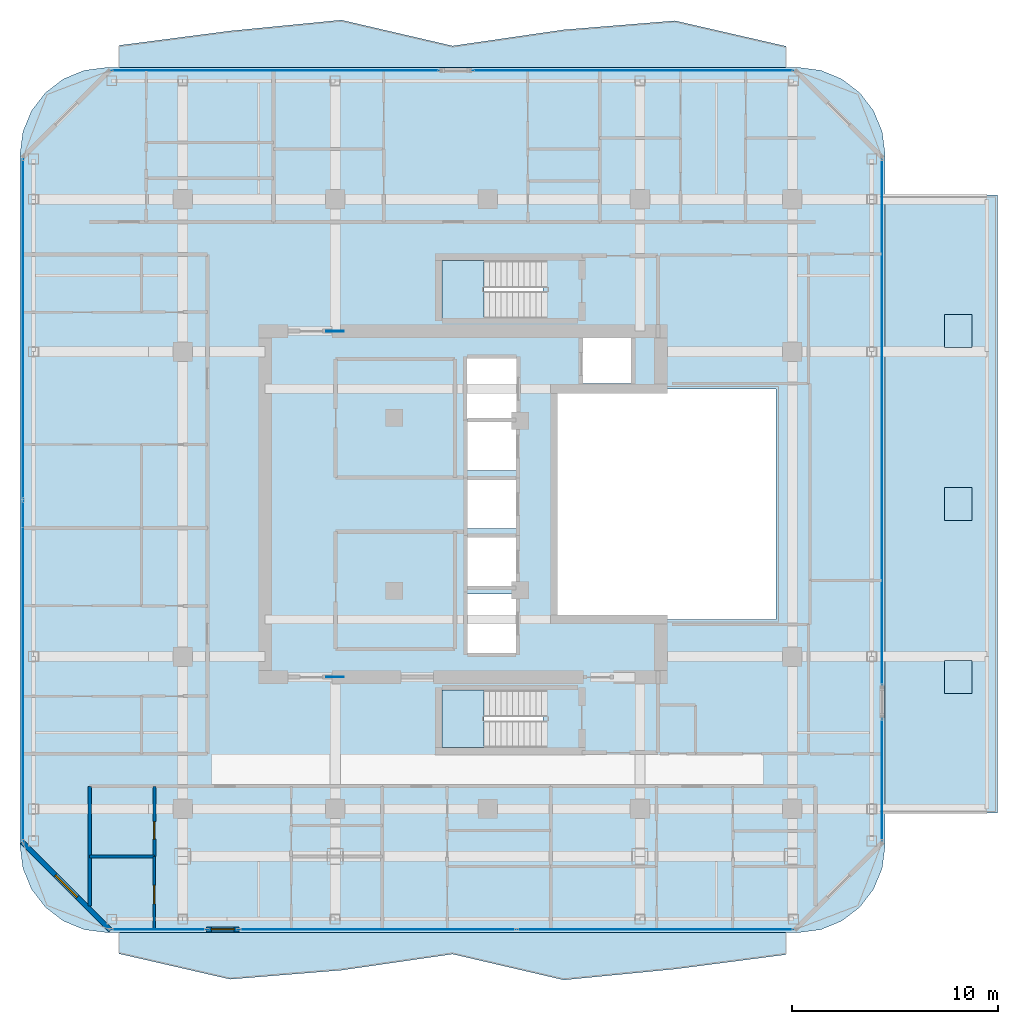
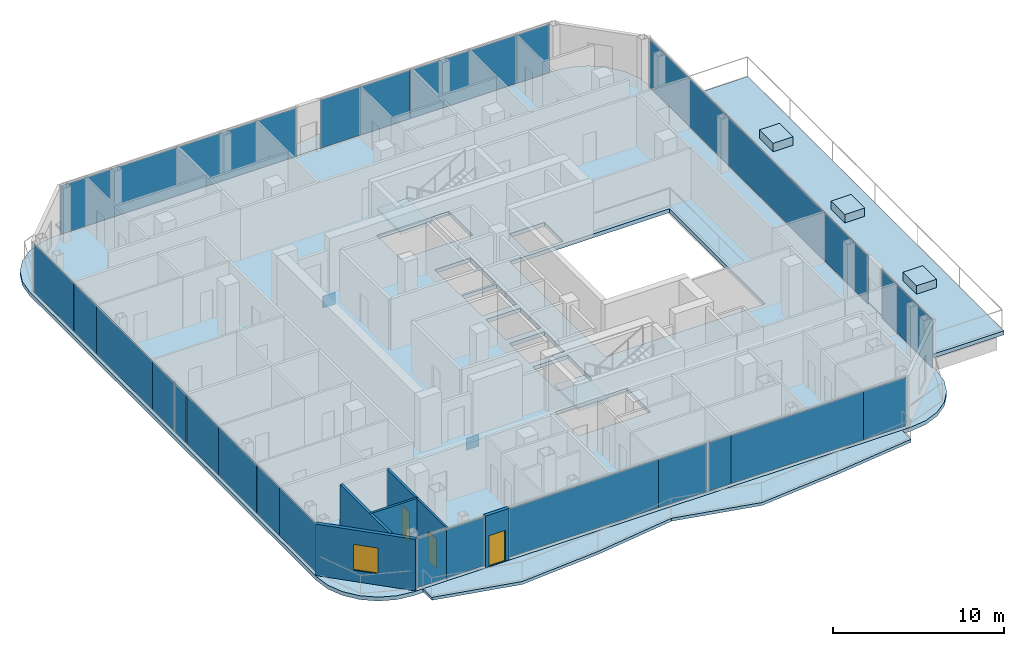
# One storey, part 16 of 24: 25 plates, 9 slabs, 6 walls, 3 doors, 1 window, 4 openings, 9 elements without a shape of their own.
"""IFC4 building model written with IfcOpenShell, lengths in metres."""

from ifc_helpers import new_model, si_unit, direction, frame, frame_2d, origin, origin_2d, place, context, subcontext, project, spatial, polyline, rectangle, outline, extrude, material, layer, layer_set, type_object, element, fill, aggregate, save


model = new_model("IFC4")

# Units and contexts
model_context = context("Model", 3, precision=1e-05, world=origin(), true_north=direction((0.0, 1.0)))
body_context = subcontext(model_context, "Body", "Model", "MODEL_VIEW")
ifc_project = project(units=[si_unit("LENGTHUNIT", "METRE"), si_unit("AREAUNIT", "SQUARE_METRE"), si_unit("VOLUMEUNIT", "CUBIC_METRE"), si_unit("PLANEANGLEUNIT", "RADIAN"), si_unit("MASSUNIT", "GRAM", prefix="KILO")], contexts=[model_context])

# Site, building, storey
site_placement = place(None, origin())
site = spatial("IfcSite", under=ifc_project, at=site_placement, CompositionType="ELEMENT")
building_placement = place(site_placement, origin())
building = spatial("IfcBuilding", under=site, at=building_placement, Name="Khorvyn Point Tower", CompositionType="ELEMENT")
storey_placement = place(building_placement, frame((0.0, 0.0, 285.89990234375)))
storey = spatial("IfcBuildingStorey", under=building, at=storey_placement, Name="L70", CompositionType="ELEMENT", Elevation=285.89990234375)

# Slabs
ifc_material_1 = material(Name="Concrete C35/45", Category="concrete")
ifc_layer_1 = layer(ifc_material_1, 0.239990234375)
ifc_layer_set_1 = layer_set([ifc_layer_1], Name="Concrete C35/45 Setback Terrace Roof Slab 240")
slab_type_1 = type_object("IfcSlabType", Name="Concrete C35/45 Setback Terrace Roof Slab 240", PredefinedType="ROOF", material=ifc_layer_set_1)
slab_1_placement = place(storey_placement, frame((0.0, 0.0, -0.27978515625)))
element("IfcSlab", 1, at=slab_1_placement, inside=storey, type_object=slab_type_1, Name="L70 East Jenga Setback Sky-Garden Terrace", PredefinedType="ROOF", context=body_context, shape_type="SweptSolid", body=[
    extrude(outline(polyline([(19.320068359375, -15.0), (24.75, -15.0), (24.75, 15.0), (19.320068359375, 15.0), (19.320068359375, -15.0)])), origin(), (0.0, 0.0, 1.0), 0.27978515625),
])
ifc_layer_2 = layer(ifc_material_1, 0.60009765625)
ifc_layer_set_2 = layer_set([ifc_layer_2], Name="Concrete C35/45 Terrace Tree Planter 600")
slab_type_2 = type_object("IfcSlabType", Name="Concrete C35/45 Terrace Tree Planter 600", PredefinedType="USERDEFINED", material=ifc_layer_set_2)
slab_2_placement = place(storey_placement, origin())
element("IfcSlab", 2, at=slab_2_placement, inside=storey, type_object=slab_type_2, Name="L70 Sky-Terrace Structural Tree Planter 1", ObjectType="PLANTER", PredefinedType="USERDEFINED", context=body_context, shape_type="SweptSolid", body=[
    extrude(outline(polyline([(22.174560546875, -9.199951171875), (23.5244140625, -9.199951171875), (23.5244140625, -7.60009765625), (22.174560546875, -7.60009765625), (22.174560546875, -9.199951171875)])), origin(), (0.0, 0.0, 1.0), 0.60009765625),
])
slab_3_placement = place(storey_placement, origin())
element("IfcSlab", 3, at=slab_3_placement, inside=storey, type_object=slab_type_2, Name="L70 Sky-Terrace Structural Tree Planter 2", ObjectType="PLANTER", PredefinedType="USERDEFINED", context=body_context, shape_type="SweptSolid", body=[
    extrude(outline(polyline([(22.174560546875, -0.800048828125), (23.5244140625, -0.800048828125), (23.5244140625, 0.800048828125), (22.174560546875, 0.800048828125), (22.174560546875, -0.800048828125)])), origin(), (0.0, 0.0, 1.0), 0.60009765625),
])
slab_4_placement = place(storey_placement, origin())
element("IfcSlab", 4, at=slab_4_placement, inside=storey, type_object=slab_type_2, Name="L70 Sky-Terrace Structural Tree Planter 3", ObjectType="PLANTER", PredefinedType="USERDEFINED", context=body_context, shape_type="SweptSolid", body=[
    extrude(outline(polyline([(22.174560546875, 7.60009765625), (23.5244140625, 7.60009765625), (23.5244140625, 9.199951171875), (22.174560546875, 9.199951171875), (22.174560546875, 7.60009765625)])), origin(), (0.0, 0.0, 1.0), 0.60009765625),
])
ifc_material_2 = material(Name="Concrete C40/50", Category="concrete")
ifc_layer_3 = layer(ifc_material_2, 0.2099609375)
ifc_layer_set_3 = layer_set([ifc_layer_3], Name="Concrete C40/50 Rippling Balcony Slab 210")
slab_type_3 = type_object("IfcSlabType", Name="Concrete C40/50 Rippling Balcony Slab 210", PredefinedType="USERDEFINED", material=ifc_layer_set_3)
slab_5_placement = place(storey_placement, frame((0.0, 0.0, -0.2099609375)))
element("IfcSlab", 5, at=slab_5_placement, inside=storey, type_object=slab_type_3, Name="L70 North Sinusoidal Rippling Balcony", ObjectType="BALCONY", PredefinedType="USERDEFINED", context=body_context, shape_type="SweptSolid", body=[
    extrude(outline(polyline([(14.5, 21.199951171875), (14.5, 22.22802734375), (9.10009765625, 23.46875), (3.699951171875, 23.031005859375), (-1.699951171875, 22.247802734375), (-7.10009765625, 23.50390625), (-12.5, 22.974365234375), (-17.89990234375, 22.271484375), (-17.89990234375, 21.199951171875), (14.5, 21.199951171875)])), origin(), (0.0, 0.0, 1.0), 0.2099609375),
])
slab_6_placement = place(storey_placement, frame((0.0, 0.0, -0.2099609375)))
element("IfcSlab", 6, at=slab_6_placement, inside=storey, type_object=slab_type_3, Name="L70 South Sinusoidal Rippling Balcony", ObjectType="BALCONY", PredefinedType="USERDEFINED", context=body_context, shape_type="SweptSolid", body=[
    extrude(outline(polyline([(-17.89990234375, -20.800048828125), (-17.89990234375, -21.827880859375), (-12.5, -23.06884765625), (-7.10009765625, -22.630859375), (-1.699951171875, -21.84765625), (3.699951171875, -23.10400390625), (9.10009765625, -22.574462890625), (14.5, -21.87158203125), (14.5, -20.800048828125), (-17.89990234375, -20.800048828125)])), origin(), (0.0, 0.0, 1.0), 0.2099609375),
])

# Stair, slab
stair_type = type_object("IfcStairType", Name="Tower Concrete C40/50 Dogleg Exit Stair", PredefinedType="HALF_TURN_STAIR", material=ifc_material_2)
stair_1_placement = place(storey_placement, origin())
stair_1 = element("IfcStair", 7, at=stair_1_placement, inside=storey, type_object=stair_type, Name="L70 Tower Smokeproof Exit Stair South", PredefinedType="HALF_TURN_STAIR")
ifc_layer_4 = layer(ifc_material_2, 0.199951171875)
ifc_layer_set_4 = layer_set([ifc_layer_4], Name="Concrete C40/50 Stair Landing Slab 200")
slab_type_4 = type_object("IfcSlabType", Name="Concrete C40/50 Stair Landing Slab 200", PredefinedType="LANDING", material=ifc_layer_set_4)
slab_7_placement = place(storey_placement, frame((0.0, 0.0, 1.75)))
slab_7 = element("IfcSlab", 8, at=slab_7_placement, type_object=slab_type_4, Name="ST-01 landing 1", PredefinedType="LANDING", context=body_context, shape_type="SweptSolid", body=[
    extrude(outline(polyline([(-0.179931640625, -9.02001953125), (-2.199951171875, -9.02001953125), (-2.199951171875, -11.820068359375), (-0.179931640625, -11.820068359375), (-0.179931640625, -9.02001953125)])), origin(), (0.0, 0.0, 1.0), 0.2001953125),
])
aggregate(stair_1, [slab_7])

stair_2_placement = place(storey_placement, origin())
stair_2 = element("IfcStair", 9, at=stair_2_placement, inside=storey, type_object=stair_type, Name="L70 Tower Smokeproof Exit Stair North", PredefinedType="HALF_TURN_STAIR")
slab_8_placement = place(storey_placement, frame((0.0, 0.0, 1.75)))
slab_8 = element("IfcSlab", 10, at=slab_8_placement, type_object=slab_type_4, Name="ST-02 landing 1", PredefinedType="LANDING", context=body_context, shape_type="SweptSolid", body=[
    extrude(outline(polyline([(-0.179931640625, 11.820068359375), (-2.199951171875, 11.820068359375), (-2.199951171875, 9.02001953125), (-0.179931640625, 9.02001953125), (-0.179931640625, 11.820068359375)])), origin(), (0.0, 0.0, 1.0), 0.2001953125),
])
aggregate(stair_2, [slab_8])

# Slab
ifc_layer_5 = layer(ifc_material_2, 0.280029296875)
ifc_layer_set_5 = layer_set([ifc_layer_5], Name="Concrete C40/50 Structural Floor Slab 280")
slab_type_5 = type_object("IfcSlabType", Name="Concrete C40/50 Structural Floor Slab 280", PredefinedType="FLOOR", material=ifc_layer_set_5)
slab_9_placement = place(storey_placement, frame((0.0, 0.0, -0.27978515625)))
element("IfcSlab", 11, at=slab_9_placement, inside=storey, type_object=slab_type_5, Name="L70 Main Structural Floor Slab", PredefinedType="FLOOR", context=body_context, shape_type="SweptSolid", body=[
    extrude(outline(polyline([(-18.5, -20.800048828125), (-19.5869140625, -20.656982421875), (-20.60009765625, -20.2373046875), (-21.4697265625, -19.56982421875), (-22.13720703125, -18.699951171875), (-22.556884765625, -17.68701171875), (-22.699951171875, -16.60009765625), (-22.699951171875, 17.0), (-22.556884765625, 18.0869140625), (-22.13720703125, 19.10009765625), (-21.4697265625, 19.9697265625), (-20.60009765625, 20.63720703125), (-19.5869140625, 21.056884765625), (-18.5, 21.199951171875), (15.10009765625, 21.199951171875), (16.18701171875, 21.056884765625), (17.199951171875, 20.63720703125), (18.06982421875, 19.9697265625), (18.7373046875, 19.10009765625), (19.156982421875, 18.0869140625), (19.300048828125, 17.0), (19.300048828125, -16.60009765625), (19.156982421875, -17.68701171875), (18.7373046875, -18.699951171875), (18.06982421875, -19.56982421875), (17.199951171875, -20.2373046875), (16.18701171875, -20.656982421875), (15.10009765625, -20.800048828125), (-18.5, -20.800048828125)]), holes=[polyline([(2.679931640625, -11.820068359375), (2.679931640625, -9.02001953125), (-2.199951171875, -9.02001953125), (-2.199951171875, -11.820068359375), (2.679931640625, -11.820068359375)]), polyline([(1.375, -7.22509765625), (1.375, -4.375), (-0.97509765625, -4.375), (-0.97509765625, -7.22509765625), (1.375, -7.22509765625)]), polyline([(1.375, -3.97509765625), (1.375, -1.625), (-0.97509765625, -1.625), (-0.97509765625, -3.97509765625), (1.375, -3.97509765625)]), polyline([(1.375, -1.175048828125), (1.375, 1.175048828125), (-0.97509765625, 1.175048828125), (-0.97509765625, -1.175048828125), (1.375, -1.175048828125)]), polyline([(14.0, -5.60009765625), (14.0, 5.60009765625), (3.199951171875, 5.60009765625), (3.199951171875, -5.60009765625), (14.0, -5.60009765625)]), polyline([(1.375, 1.625), (1.375, 3.97509765625), (-0.97509765625, 3.97509765625), (-0.97509765625, 1.625), (1.375, 1.625)]), polyline([(1.39990234375, 4.125), (1.39990234375, 7.074951171875), (-1.0, 7.074951171875), (-1.0, 4.125), (1.39990234375, 4.125)]), polyline([(4.625, 5.85009765625), (6.97509765625, 5.85009765625), (6.97509765625, 8.054931640625), (4.625, 8.054931640625), (4.625, 5.85009765625)]), polyline([(-2.199951171875, 9.02001953125), (2.679931640625, 9.02001953125), (2.679931640625, 11.820068359375), (-2.199951171875, 11.820068359375), (-2.199951171875, 9.02001953125)])]), origin(), (0.0, 0.0, 1.0), 0.27978515625),
])

# Plates
ifc_material_3 = material(Name="Steel S450", Category="steel")
ifc_layer_6 = layer(ifc_material_3, 0.031982421875)
ifc_layer_set_6 = layer_set([ifc_layer_6], Name="Steel S450 Exoskeleton End Cap Plate 32")
plate_type_1 = type_object("IfcPlateType", Name="Steel S450 Exoskeleton End Cap Plate 32", PredefinedType="USERDEFINED", material=ifc_layer_set_6)
for number, where, z_axis, x_axis, name in (
    (12, (-7.39990234375, -8.389892578125, -1.16015625), (0.0, 0.0, 1.0), (1.0, 0.0, 0.0), "Plate"),
    (13, (-7.39990234375, 8.389892578125, -1.16015625), (0.0, 0.0, 1.0), (1.0, 0.0, 0.0), "Plate"),
):
    element("IfcPlate", number, at=place(storey_placement, frame(where, z_axis=z_axis, x_axis=x_axis)), inside=storey, type_object=plate_type_1, Name=name, ObjectType="GUSSET", PredefinedType="USERDEFINED", context=body_context, shape_type="SweptSolid", body=[
        extrude(rectangle(XDim=0.860107421875, YDim=0.031982421875, at=origin_2d()), origin(), (0.0, 0.0, 1.0), 0.860107421875),
    ])

# Curtain wall, plates
ifc_material_4 = material(Name="Anodised aluminium 6063-T6 and laminated Low-E glass", Category="aluminium")
ifc_layer_7 = layer(ifc_material_4, 0.18994140625)
ifc_layer_set_7 = layer_set([ifc_layer_7], Name="Stick-Built High-Wind Curtain Wall CW-SYS-04")
curtain_wall_type = type_object("IfcCurtainWallType", Name="Stick-Built High-Wind Curtain Wall CW-SYS-04", PredefinedType="NOTDEFINED", material=ifc_layer_set_7)
curtain_wall_1_placement = place(storey_placement, origin())
curtain_wall_1 = element("IfcCurtainWall", 14, at=curtain_wall_1_placement, inside=storey, type_object=curtain_wall_type, Name="Curtain Wall", PredefinedType="NOTDEFINED")
ifc_material_5 = material(Name="Laminated Low-E insulated glass", Category="glass")
ifc_layer_8 = layer(ifc_material_5, 0.028076171875)
ifc_layer_set_8 = layer_set([ifc_layer_8], Name="Tempered Low-E Vision Glazing Panel CW-GL28")
plate_type_2 = type_object("IfcPlateType", Name="Tempered Low-E Vision Glazing Panel CW-GL28", PredefinedType="CURTAIN_PANEL", material=ifc_layer_set_8)
plate_1_placement = place(storey_placement, frame((2.22900390625, -20.64990234375, 0.10009765625), z_axis=(0.0, 0.0, 1.0), x_axis=(-1.0, 0.0, 0.0)))
plate_1 = element("IfcPlate", 15, at=plate_1_placement, type_object=plate_type_2, Name="Panel", PredefinedType="CURTAIN_PANEL", context=body_context, shape_type="SweptSolid", body=[
    extrude(rectangle(XDim=1.5400390625, YDim=0.028076171875, at=origin_2d()), origin(), (0.0, 0.0, 1.0), 3.47998046875),
])
plate_2_placement = place(storey_placement, frame((7.485595703125, -20.64990234375, 0.10009765625), z_axis=(0.0, 0.0, 1.0), x_axis=(-1.0, 0.0, 0.0)))
plate_2 = element("IfcPlate", 16, at=plate_2_placement, type_object=plate_type_2, Name="Panel", PredefinedType="CURTAIN_PANEL", context=body_context, shape_type="SweptSolid", body=[
    extrude(rectangle(XDim=8.95703125, YDim=0.028076171875, at=origin_2d()), origin(), (0.0, 0.0, 1.0), 3.47998046875),
])
plate_3_placement = place(storey_placement, frame((13.408935546875, -20.64990234375, 0.10009765625), z_axis=(0.0, 0.0, 1.0), x_axis=(-1.0, 0.0, 0.0)))
plate_3 = element("IfcPlate", 17, at=plate_3_placement, type_object=plate_type_2, Name="Panel", PredefinedType="CURTAIN_PANEL", context=body_context, shape_type="SweptSolid", body=[
    extrude(rectangle(XDim=2.8740234375, YDim=0.028076171875, at=origin_2d()), origin(), (0.0, 0.0, 1.0), 3.47998046875),
])
plate_4_placement = place(storey_placement, frame((-6.972412109375, -20.64990234375, 0.10009765625), z_axis=(0.0, 0.0, 1.0), x_axis=(-1.0, 0.0, 0.0)))
plate_4 = element("IfcPlate", 18, at=plate_4_placement, type_object=plate_type_2, Name="Panel", PredefinedType="CURTAIN_PANEL", context=body_context, shape_type="SweptSolid", body=[
    extrude(rectangle(XDim=10.126953125, YDim=0.028076171875, at=origin_2d()), origin(), (0.0, 0.0, 1.0), 3.47998046875),
])
plate_5_placement = place(storey_placement, frame((-0.27490234375, -20.64990234375, 0.10009765625), z_axis=(0.0, 0.0, 1.0), x_axis=(-1.0, 0.0, 0.0)))
plate_5 = element("IfcPlate", 19, at=plate_5_placement, type_object=plate_type_2, Name="Panel", PredefinedType="CURTAIN_PANEL", context=body_context, shape_type="SweptSolid", body=[
    extrude(rectangle(XDim=3.251953125, YDim=0.028076171875, at=origin_2d()), origin(), (0.0, 0.0, 1.0), 3.47998046875),
])
aggregate(curtain_wall_1, [plate_1, plate_2, plate_3, plate_4, plate_5])

curtain_wall_2_placement = place(storey_placement, origin())
curtain_wall_2 = element("IfcCurtainWall", 20, at=curtain_wall_2_placement, inside=storey, type_object=curtain_wall_type, Name="Curtain Wall", PredefinedType="NOTDEFINED")
plate_6_placement = place(storey_placement, frame((-17.244384765625, -20.64990234375, 0.10009765625), z_axis=(0.0, 0.0, 1.0), x_axis=(-1.0, 0.0, 0.0)))
plate_6 = element("IfcPlate", 21, at=plate_6_placement, type_object=plate_type_2, Name="Panel", PredefinedType="CURTAIN_PANEL", context=body_context, shape_type="SweptSolid", body=[
    extrude(rectangle(XDim=2.0029296875, YDim=0.028076171875, at=origin_2d()), origin(), (0.0, 0.0, 1.0), 3.47998046875),
])
plate_7_placement = place(storey_placement, frame((-14.95947265625, -20.64990234375, 0.10009765625), z_axis=(0.0, 0.0, 1.0), x_axis=(-1.0, 0.0, 0.0)))
plate_7 = element("IfcPlate", 22, at=plate_7_placement, type_object=plate_type_2, Name="Panel", PredefinedType="CURTAIN_PANEL", context=body_context, shape_type="SweptSolid", body=[
    extrude(rectangle(XDim=2.551025390625, YDim=0.028076171875, at=origin_2d()), origin(), (0.0, 0.0, 1.0), 3.47998046875),
])
aggregate(curtain_wall_2, [plate_6, plate_7])

# Curtain wall, plate
curtain_wall_3_placement = place(storey_placement, origin())
curtain_wall_3 = element("IfcCurtainWall", 23, at=curtain_wall_3_placement, inside=storey, type_object=curtain_wall_type, Name="Curtain Wall", PredefinedType="NOTDEFINED")
plate_8_placement = place(storey_placement, frame((-10.304931640625, 21.050048828125, 0.10009765625), z_axis=(0.0, 0.0, 1.0), x_axis=(1.0, 0.0, 0.0)))
plate_8 = element("IfcPlate", 24, at=plate_8_placement, type_object=plate_type_2, Name="Panel", PredefinedType="CURTAIN_PANEL", context=body_context, shape_type="SweptSolid", body=[
    extrude(rectangle(XDim=15.889892578125, YDim=0.028076171875, at=origin_2d()), origin(), (0.0, 0.0, 1.0), 3.47998046875),
])
aggregate(curtain_wall_3, [plate_8])

# Curtain wall, plates
curtain_wall_4_placement = place(storey_placement, origin())
curtain_wall_4 = element("IfcCurtainWall", 25, at=curtain_wall_4_placement, inside=storey, type_object=curtain_wall_type, Name="Curtain Wall", PredefinedType="NOTDEFINED")
plate_9_placement = place(storey_placement, frame((0.64990234375, 21.050048828125, 0.10009765625), z_axis=(0.0, 0.0, 1.0), x_axis=(1.0, 0.0, 0.0)))
plate_9 = element("IfcPlate", 26, at=plate_9_placement, type_object=plate_type_2, Name="Panel", PredefinedType="CURTAIN_PANEL", context=body_context, shape_type="SweptSolid", body=[
    extrude(rectangle(XDim=2.73193359375, YDim=0.028076171875, at=origin_2d()), origin(), (0.0, 0.0, 1.0), 3.47998046875),
])
plate_10_placement = place(storey_placement, frame((3.700927734375, 21.050048828125, 0.10009765625), z_axis=(0.0, 0.0, 1.0), x_axis=(1.0, 0.0, 0.0)))
plate_10 = element("IfcPlate", 27, at=plate_10_placement, type_object=plate_type_2, Name="Panel", PredefinedType="CURTAIN_PANEL", context=body_context, shape_type="SweptSolid", body=[
    extrude(rectangle(XDim=3.35400390625, YDim=0.028076171875, at=origin_2d()), origin(), (0.0, 0.0, 1.0), 3.47998046875),
])
plate_11_placement = place(storey_placement, frame((8.984619140625, 21.050048828125, 0.10009765625), z_axis=(0.0, 0.0, 1.0), x_axis=(1.0, 0.0, 0.0)))
plate_11 = element("IfcPlate", 28, at=plate_11_placement, type_object=plate_type_2, Name="Panel", PredefinedType="CURTAIN_PANEL", context=body_context, shape_type="SweptSolid", body=[
    extrude(rectangle(XDim=7.197021484375, YDim=0.028076171875, at=origin_2d()), origin(), (0.0, 0.0, 1.0), 3.47998046875),
])
plate_12_placement = place(storey_placement, frame((13.718505859375, 21.050048828125, 0.10009765625), z_axis=(0.0, 0.0, 1.0), x_axis=(1.0, 0.0, 0.0)))
plate_12 = element("IfcPlate", 29, at=plate_12_placement, type_object=plate_type_2, Name="Panel", PredefinedType="CURTAIN_PANEL", context=body_context, shape_type="SweptSolid", body=[
    extrude(rectangle(XDim=2.2548828125, YDim=0.028076171875, at=origin_2d()), origin(), (0.0, 0.0, 1.0), 3.47998046875),
])
aggregate(curtain_wall_4, [plate_9, plate_10, plate_11, plate_12])

curtain_wall_5_placement = place(storey_placement, origin())
curtain_wall_5 = element("IfcCurtainWall", 30, at=curtain_wall_5_placement, inside=storey, type_object=curtain_wall_type, Name="Curtain Wall", PredefinedType="NOTDEFINED")
plate_13_placement = place(storey_placement, frame((-22.550048828125, -14.205078125, 0.10009765625), z_axis=(0.0, 0.0, 1.0), x_axis=(0.0, 1.0, 0.0)))
plate_13 = element("IfcPlate", 31, at=plate_13_placement, type_object=plate_type_2, Name="Panel", PredefinedType="CURTAIN_PANEL", context=body_context, shape_type="SweptSolid", body=[
    extrude(rectangle(XDim=4.281982421875, YDim=0.028076171875, at=origin_2d()), origin(), (0.0, 0.0, 1.0), 3.47998046875),
])
plate_14_placement = place(storey_placement, frame((-22.550048828125, -10.719970703125, 0.10009765625), z_axis=(0.0, 0.0, 1.0), x_axis=(0.0, 1.0, 0.0)))
plate_14 = element("IfcPlate", 32, at=plate_14_placement, type_object=plate_type_2, Name="Panel", PredefinedType="CURTAIN_PANEL", context=body_context, shape_type="SweptSolid", body=[
    extrude(rectangle(XDim=2.672119140625, YDim=0.028076171875, at=origin_2d()), origin(), (0.0, 0.0, 1.0), 3.47998046875),
])
plate_15_placement = place(storey_placement, frame((-22.550048828125, -7.12939453125, 0.10009765625), z_axis=(0.0, 0.0, 1.0), x_axis=(0.0, 1.0, 0.0)))
plate_15 = element("IfcPlate", 33, at=plate_15_placement, type_object=plate_type_2, Name="Panel", PredefinedType="CURTAIN_PANEL", context=body_context, shape_type="SweptSolid", body=[
    extrude(rectangle(XDim=4.492919921875, YDim=0.028076171875, at=origin_2d()), origin(), (0.0, 0.0, 1.0), 3.47998046875),
])
plate_16_placement = place(storey_placement, frame((-22.550048828125, -3.051513671875, 0.10009765625), z_axis=(0.0, 0.0, 1.0), x_axis=(0.0, 1.0, 0.0)))
plate_16 = element("IfcPlate", 34, at=plate_16_placement, type_object=plate_type_2, Name="Panel", PredefinedType="CURTAIN_PANEL", context=body_context, shape_type="SweptSolid", body=[
    extrude(rectangle(XDim=3.64697265625, YDim=0.028076171875, at=origin_2d()), origin(), (0.0, 0.0, 1.0), 3.47998046875),
])
plate_17_placement = place(storey_placement, frame((-22.550048828125, -0.47705078125, 0.10009765625), z_axis=(0.0, 0.0, 1.0), x_axis=(0.0, 1.0, 0.0)))
plate_17 = element("IfcPlate", 35, at=plate_17_placement, type_object=plate_type_2, Name="Panel", PredefinedType="CURTAIN_PANEL", context=body_context, shape_type="SweptSolid", body=[
    extrude(rectangle(XDim=1.24609375, YDim=0.028076171875, at=origin_2d()), origin(), (0.0, 0.0, 1.0), 3.47998046875),
])
plate_18_placement = place(storey_placement, frame((-22.550048828125, 1.5419921875, 0.10009765625), z_axis=(0.0, 0.0, 1.0), x_axis=(0.0, 1.0, 0.0)))
plate_18 = element("IfcPlate", 36, at=plate_18_placement, type_object=plate_type_2, Name="Panel", PredefinedType="CURTAIN_PANEL", context=body_context, shape_type="SweptSolid", body=[
    extrude(rectangle(XDim=2.575927734375, YDim=0.028076171875, at=origin_2d()), origin(), (0.0, 0.0, 1.0), 3.47998046875),
])
plate_19_placement = place(storey_placement, frame((-22.550048828125, 6.10693359375, 0.10009765625), z_axis=(0.0, 0.0, 1.0), x_axis=(0.0, 1.0, 0.0)))
plate_19 = element("IfcPlate", 37, at=plate_19_placement, type_object=plate_type_2, Name="Panel", PredefinedType="CURTAIN_PANEL", context=body_context, shape_type="SweptSolid", body=[
    extrude(rectangle(XDim=6.5380859375, YDim=0.028076171875, at=origin_2d()), origin(), (0.0, 0.0, 1.0), 3.47998046875),
])
plate_20_placement = place(storey_placement, frame((-22.550048828125, 10.719970703125, 0.10009765625), z_axis=(0.0, 0.0, 1.0), x_axis=(0.0, 1.0, 0.0)))
plate_20 = element("IfcPlate", 38, at=plate_20_placement, type_object=plate_type_2, Name="Panel", PredefinedType="CURTAIN_PANEL", context=body_context, shape_type="SweptSolid", body=[
    extrude(rectangle(XDim=2.672119140625, YDim=0.028076171875, at=origin_2d()), origin(), (0.0, 0.0, 1.0), 3.47998046875),
])
plate_21_placement = place(storey_placement, frame((-22.550048828125, 14.405029296875, 0.10009765625), z_axis=(0.0, 0.0, 1.0), x_axis=(0.0, 1.0, 0.0)))
plate_21 = element("IfcPlate", 39, at=plate_21_placement, type_object=plate_type_2, Name="Panel", PredefinedType="CURTAIN_PANEL", context=body_context, shape_type="SweptSolid", body=[
    extrude(rectangle(XDim=4.681884765625, YDim=0.028076171875, at=origin_2d()), origin(), (0.0, 0.0, 1.0), 3.47998046875),
])
aggregate(curtain_wall_5, [plate_13, plate_14, plate_15, plate_16, plate_17, plate_18, plate_19, plate_20, plate_21])

# Curtain wall, plate
curtain_wall_6_placement = place(storey_placement, origin())
curtain_wall_6 = element("IfcCurtainWall", 40, at=curtain_wall_6_placement, inside=storey, type_object=curtain_wall_type, Name="Curtain Wall", PredefinedType="NOTDEFINED")
plate_22_placement = place(storey_placement, frame((19.14990234375, 3.982421875, 0.10009765625), z_axis=(0.0, 0.0, 1.0), x_axis=(0.0, -1.0, 0.0)))
plate_22 = element("IfcPlate", 41, at=plate_22_placement, type_object=plate_type_2, Name="Panel", PredefinedType="CURTAIN_PANEL", context=body_context, shape_type="SweptSolid", body=[
    extrude(rectangle(XDim=25.534912109375, YDim=0.028076171875, at=origin_2d()), origin(), (0.0, 0.0, 1.0), 3.47998046875),
])
aggregate(curtain_wall_6, [plate_22])

curtain_wall_7_placement = place(storey_placement, origin())
curtain_wall_7 = element("IfcCurtainWall", 42, at=curtain_wall_7_placement, inside=storey, type_object=curtain_wall_type, Name="Curtain Wall", PredefinedType="NOTDEFINED")
plate_23_placement = place(storey_placement, frame((19.14990234375, -13.387451171875, 0.10009765625), z_axis=(0.0, 0.0, 1.0), x_axis=(0.0, -1.0, 0.0)))
plate_23 = element("IfcPlate", 43, at=plate_23_placement, type_object=plate_type_2, Name="Panel", PredefinedType="CURTAIN_PANEL", context=body_context, shape_type="SweptSolid", body=[
    extrude(rectangle(XDim=5.925048828125, YDim=0.028076171875, at=origin_2d()), origin(), (0.0, 0.0, 1.0), 3.47998046875),
])
aggregate(curtain_wall_7, [plate_23])

# Wall
ifc_material_6 = material(Name="Double acoustic gypsum on twin steel stud", Category="steel")
ifc_layer_9 = layer(ifc_material_6, 0.179931640625)
ifc_layer_set_9 = layer_set([ifc_layer_9], Name="Acoustic Double-Stud Apartment Demising Wall 180")
wall_type_1 = type_object("IfcWallType", Name="Acoustic Double-Stud Apartment Demising Wall 180", PredefinedType="PARTITIONING", material=ifc_layer_set_9)
wall_1_placement = place(storey_placement, frame((-19.320068359375, -19.510009765625, 0.0), z_axis=(0.0, 0.0, 1.0), x_axis=(0.0, 1.0, 0.0)))
element("IfcWall", 44, at=wall_1_placement, inside=storey, type_object=wall_type_1, Name="Wall", PredefinedType="PARTITIONING", context=body_context, shape_type="SweptSolid", body=[
    extrude(rectangle(XDim=5.81005859375, YDim=0.179931640625, at=frame_2d((2.905029296875, 0.0))), origin(), (0.0, 0.0, 1.0), 3.68017578125),
])

# Wall, opening, door
ifc_material_7 = material(Name="Pale anodised aluminium rainscreen on steel stud", Category="steel")
ifc_layer_10 = layer(ifc_material_7, 0.239990234375)
ifc_layer_set_10 = layer_set([ifc_layer_10], Name="Anodised Aluminium Insulated Corner Spandrel Wall 240")
wall_type_2 = type_object("IfcWallType", Name="Anodised Aluminium Insulated Corner Spandrel Wall 240", PredefinedType="SOLIDWALL", material=ifc_layer_set_10)
wall_2_placement = place(storey_placement, frame((-12.070068359375, -20.64990234375, 0.0), z_axis=(0.0, 0.0, 1.0), x_axis=(-1.0, 0.0, 0.0)))
wall_2 = element("IfcWall", 45, at=wall_2_placement, inside=storey, type_object=wall_type_2, Name="L70 South Outdoor Threshold Wall", PredefinedType="SOLIDWALL", context=body_context, shape_type="SweptSolid", body=[
    extrude(rectangle(XDim=1.579833984375, YDim=0.239990234375, at=frame_2d((0.7900390625, 0.0))), origin(), (0.0, 0.0, 1.0), 3.68017578125),
])
opening_1_placement = place(wall_2_placement, frame((0.239990234375, 0.0, 0.0)))
opening_1 = element("IfcOpeningElement", 46, at=opening_1_placement, cuts=wall_2, Name="Opening BD-1122", PredefinedType="OPENING", context=body_context, shape_type="SweptSolid", body=[
    extrude(rectangle(XDim=1.10009765625, YDim=2.199951171875, at=frame_2d((0.550048828125, 1.10009765625))), frame((0.0, 0.1298828125, 0.0), z_axis=(0.0, -1.0, 0.0), x_axis=(1.0, 0.0, 0.0)), (0.0, 0.0, 1.0), 0.260009765625),
])
door_type_1 = type_object("IfcDoorType", Name="Glazed Balcony and Terrace Threshold Door 1100x2200", OperationType="NOTDEFINED", PredefinedType="DOOR", material=ifc_material_4)
door_1_placement = place(opening_1_placement, origin())
door_1 = element("IfcDoor", 47, at=door_1_placement, inside=storey, type_object=door_type_1, Name="L70 South Glazed Balcony Outdoor Door", OperationType="SINGLE_SWING_RIGHT", OverallHeight=2.199951171875, OverallWidth=1.10009765625, PredefinedType="DOOR", context=body_context, shape_type="SweptSolid", body=[
    extrude(rectangle(XDim=1.10009765625, YDim=2.199951171875, at=frame_2d((0.550048828125, 1.10009765625))), frame((0.0, 0.02490234375, 0.0), z_axis=(0.0, -1.0, 0.0), x_axis=(1.0, 0.0, 0.0)), (0.0, 0.0, 1.0), 0.050048828125),
])
fill(opening_1, door_1)

# Wall, opening, window
wall_3_placement = place(storey_placement, frame((-18.3076171875, -20.6923828125, 0.0), z_axis=(0.0, 0.0, 1.0), x_axis=(-0.707106781187, 0.707106781187, 0.0)))
wall_3 = element("IfcWall", 48, at=wall_3_placement, inside=storey, type_object=wall_type_2, Name="L70 Rounded Corner Wall SW", PredefinedType="SOLIDWALL", context=body_context, shape_type="SweptSolid", body=[
    extrude(rectangle(XDim=6.059326171875, YDim=0.239990234375, at=frame_2d((3.02978515625, 0.0))), origin(), (0.0, 0.0, 1.0), 3.68017578125),
])
opening_2_placement = place(wall_3_placement, frame((2.27978515625, 0.0, 0.800048828125)))
opening_2 = element("IfcOpeningElement", 49, at=opening_2_placement, cuts=wall_3, Name="Opening WN-1518", PredefinedType="OPENING", context=body_context, shape_type="SweptSolid", body=[
    extrude(rectangle(XDim=1.5, YDim=1.85009765625, at=frame_2d((0.75, 0.925048828125))), frame((0.0, 0.1298828125, 0.0), z_axis=(0.0, -1.0, 0.0), x_axis=(1.0, 0.0, 0.0)), (0.0, 0.0, 1.0), 0.260009765625),
])
window_type = type_object("IfcWindowType", Name="Anodised Aluminium Rounded-Corner Panoramic Window 1500x1850", PartitioningType="SINGLE_PANEL", PredefinedType="WINDOW", material=ifc_material_4)
window_placement = place(opening_2_placement, origin())
window = element("IfcWindow", 50, at=window_placement, inside=storey, type_object=window_type, Name="L70 Corner Panoramic Window SW", OverallHeight=1.85009765625, OverallWidth=1.5, PartitioningType="SINGLE_PANEL", PredefinedType="WINDOW", context=body_context, shape_type="SweptSolid", body=[
    extrude(rectangle(XDim=1.5, YDim=1.85009765625, at=frame_2d((0.75, 0.925048828125))), frame((0.0, 0.030029296875, 0.0), z_axis=(0.0, -1.0, 0.0), x_axis=(1.0, 0.0, 0.0)), (0.0, 0.0, 1.0), 0.06005859375),
])
fill(opening_2, window)

# Wall, opening, door
ifc_material_8 = material(Name="Gypsum plasterboard on steel stud", Category="steel")
ifc_layer_11 = layer(ifc_material_8, 0.1201171875)
ifc_layer_set_11 = layer_set([ifc_layer_11], Name="Gypsum Acoustic Stud Room Partition Wall 120")
wall_type_3 = type_object("IfcWallType", Name="Gypsum Acoustic Stud Room Partition Wall 120", PredefinedType="PARTITIONING", material=ifc_layer_set_11)
wall_4_placement = place(storey_placement, frame((-16.178955078125, -20.6298828125, 0.0), z_axis=(0.0, 0.0, 1.0), x_axis=(0.0, 1.0, 0.0)))
wall_4 = element("IfcWall", 51, at=wall_4_placement, inside=storey, type_object=wall_type_3, Name="Wall", PredefinedType="PARTITIONING", context=body_context, shape_type="SweptSolid", body=[
    extrude(rectangle(XDim=3.52197265625, YDim=0.1201171875, at=frame_2d((1.760986328125, 0.0))), origin(), (0.0, 0.0, 1.0), 3.68017578125),
])
opening_3_placement = place(wall_4_placement, frame((1.222412109375, 0.0, 0.0)))
opening_3 = element("IfcOpeningElement", 52, at=opening_3_placement, cuts=wall_4, Name="Opening ID-RM90", PredefinedType="OPENING", context=body_context, shape_type="SweptSolid", body=[
    extrude(rectangle(XDim=0.89990234375, YDim=2.10009765625, at=frame_2d((0.449951171875, 1.050048828125))), frame((0.0, 0.070068359375, 0.0), z_axis=(0.0, -1.0, 0.0), x_axis=(1.0, 0.0, 0.0)), (0.0, 0.0, 1.0), 0.14013671875),
])
ifc_material_9 = material(Name="Engineered oak veneer timber", Category="wood")
door_type_2 = type_object("IfcDoorType", Name="Flush Engineered Timber Room Door 900x2100", OperationType="NOTDEFINED", PredefinedType="DOOR", material=ifc_material_9)
door_2_placement = place(opening_3_placement, origin())
door_2 = element("IfcDoor", 53, at=door_2_placement, inside=storey, type_object=door_type_2, Name="Door", OperationType="SINGLE_SWING_RIGHT", OverallHeight=2.10009765625, OverallWidth=0.89990234375, PredefinedType="DOOR", context=body_context, shape_type="SweptSolid", body=[
    extrude(rectangle(XDim=0.89990234375, YDim=2.10009765625, at=frame_2d((0.449951171875, 1.050048828125))), frame((0.0, 0.02490234375, 0.0), z_axis=(0.0, -1.0, 0.0), x_axis=(1.0, 0.0, 0.0)), (0.0, 0.0, 1.0), 0.050048828125),
])
fill(opening_3, door_2)

ifc_material_10 = material(Name="Moisture-resistant gypsum and cement board", Category="gypsum")
ifc_layer_12 = layer(ifc_material_10, 0.14990234375)
ifc_layer_set_12 = layer_set([ifc_layer_12], Name="Moisture-Resistant Wet-Room Partition Wall 150")
wall_type_4 = type_object("IfcWallType", Name="Moisture-Resistant Wet-Room Partition Wall 150", PredefinedType="PARTITIONING", material=ifc_layer_set_12)
wall_5_placement = place(storey_placement, frame((-16.178955078125, -17.10791015625, 0.0), z_axis=(0.0, 0.0, 1.0), x_axis=(0.0, 1.0, 0.0)))
wall_5 = element("IfcWall", 54, at=wall_5_placement, inside=storey, type_object=wall_type_4, Name="Wall", PredefinedType="PARTITIONING", context=body_context, shape_type="SweptSolid", body=[
    extrude(rectangle(XDim=3.407958984375, YDim=0.14990234375, at=frame_2d((1.7041015625, 0.0))), origin(), (0.0, 0.0, 1.0), 3.68017578125),
])
opening_4_placement = place(wall_5_placement, frame((0.8486328125, 0.0, 0.0)))
opening_4 = element("IfcOpeningElement", 55, at=opening_4_placement, cuts=wall_5, Name="Opening ID-WC85", PredefinedType="OPENING", context=body_context, shape_type="SweptSolid", body=[
    extrude(rectangle(XDim=0.85009765625, YDim=2.10009765625, at=frame_2d((0.425048828125, 1.050048828125))), frame((0.0, 0.0849609375, 0.0), z_axis=(0.0, -1.0, 0.0), x_axis=(1.0, 0.0, 0.0)), (0.0, 0.0, 1.0), 0.169921875),
])
ifc_material_11 = material(Name="High-pressure laminate on moisture-resistant core", Category="wood")
door_type_3 = type_object("IfcDoorType", Name="Moisture-Resistant Accessible Washroom Door 850x2100", OperationType="NOTDEFINED", PredefinedType="DOOR", material=ifc_material_11)
door_3_placement = place(opening_4_placement, origin())
door_3 = element("IfcDoor", 56, at=door_3_placement, inside=storey, type_object=door_type_3, Name="Door", OperationType="SINGLE_SWING_LEFT", OverallHeight=2.10009765625, OverallWidth=0.85009765625, PredefinedType="DOOR", context=body_context, shape_type="SweptSolid", body=[
    extrude(rectangle(XDim=0.85009765625, YDim=2.10009765625, at=frame_2d((0.425048828125, 1.050048828125))), frame((0.0, 0.02490234375, 0.0), z_axis=(0.0, -1.0, 0.0), x_axis=(1.0, 0.0, 0.0)), (0.0, 0.0, 1.0), 0.050048828125),
])
fill(opening_4, door_3)

# Wall
wall_6_placement = place(storey_placement, frame((-19.320068359375, -17.10791015625, 0.0), z_axis=(0.0, 0.0, 1.0), x_axis=(1.0, 0.0, 0.0)))
element("IfcWall", 57, at=wall_6_placement, inside=storey, type_object=wall_type_4, Name="Wall", PredefinedType="PARTITIONING", context=body_context, shape_type="SweptSolid", body=[
    extrude(rectangle(XDim=3.14111328125, YDim=0.14990234375, at=frame_2d((1.570556640625, 0.0))), origin(), (0.0, 0.0, 1.0), 3.68017578125),
])

save(model, "model.ifc")
